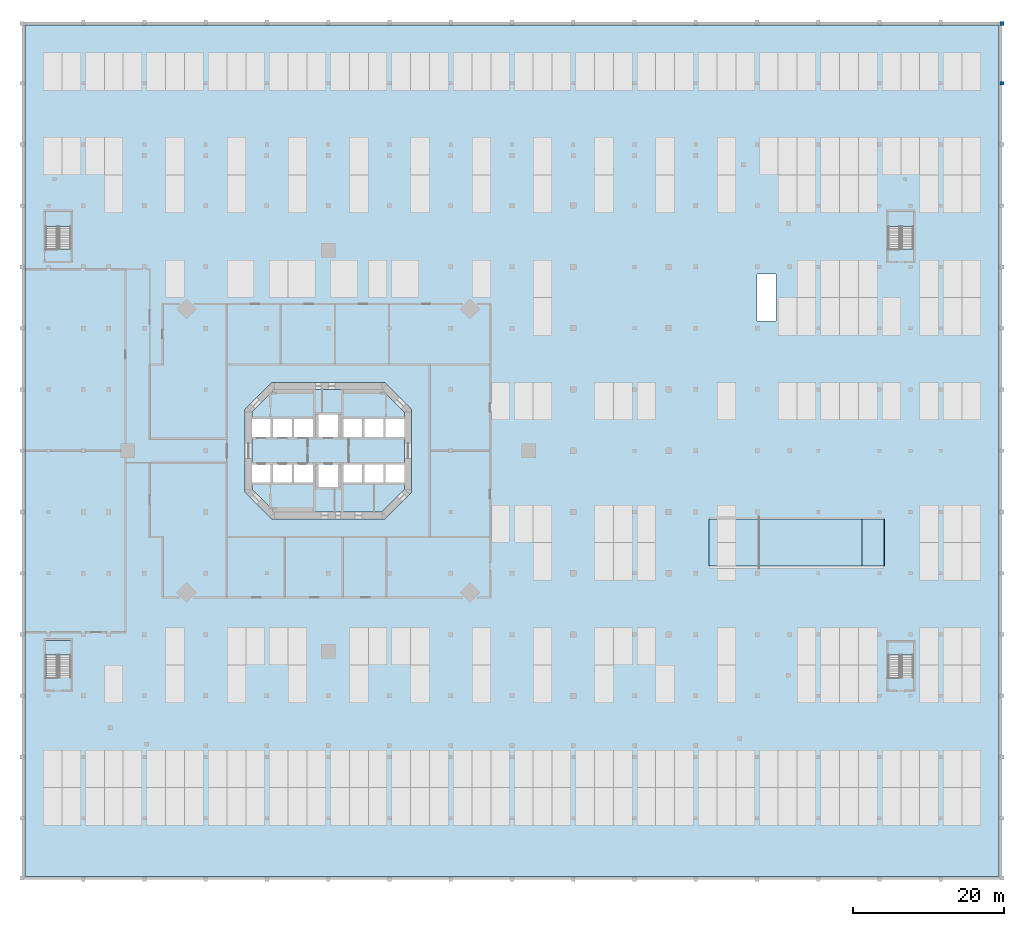
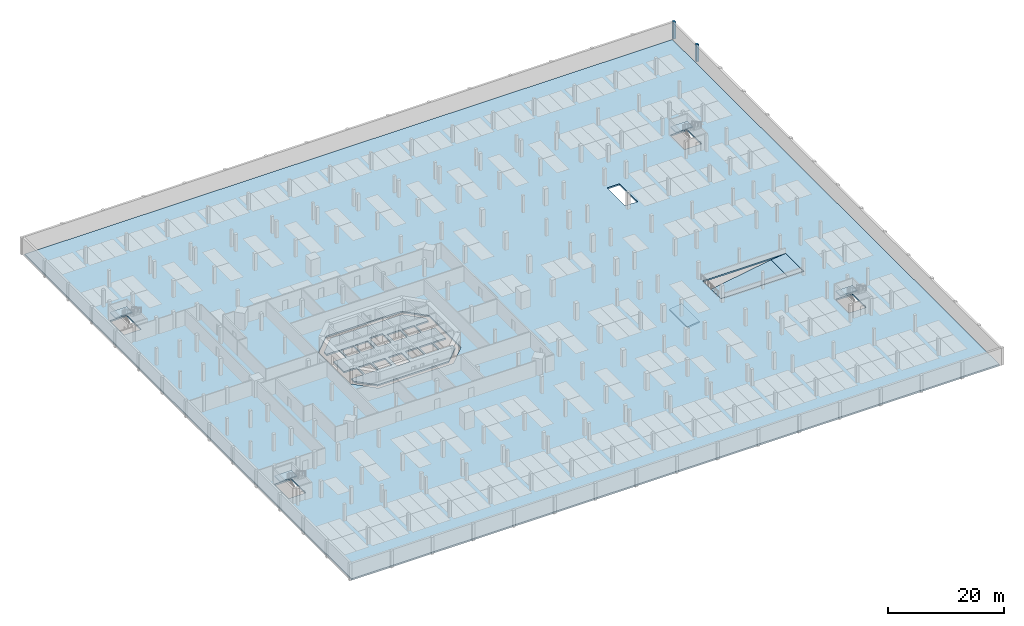
# One storey, part 2 of 14: 9 slabs, 2 columns, 4 elements without a shape of their own.
"""IFC4 building model written with IfcOpenShell, lengths in metres."""

from ifc_helpers import new_model, si_unit, direction, frame, origin, origin_2d, place, context, subcontext, project, spatial, polyline, rectangle, outline, extrude, material, layer, layer_set, material_profile, profile_set, type_object, element, aggregate, save


model = new_model("IFC4")

# Units and contexts
model_context = context("Model", 3, precision=1e-05, world=origin(), true_north=direction((0.0, 1.0)))
body_context = subcontext(model_context, "Body", "Model", "MODEL_VIEW")
ifc_project = project(units=[si_unit("LENGTHUNIT", "METRE"), si_unit("AREAUNIT", "SQUARE_METRE"), si_unit("VOLUMEUNIT", "CUBIC_METRE"), si_unit("PLANEANGLEUNIT", "RADIAN"), si_unit("MASSUNIT", "GRAM", prefix="KILO")], contexts=[model_context])

# Site, building, storey
site_placement = place(None, origin())
site = spatial("IfcSite", under=ifc_project, at=site_placement, CompositionType="ELEMENT")
building_placement = place(site_placement, origin())
building = spatial("IfcBuilding", under=site, at=building_placement, Name="Torre Triforio", CompositionType="ELEMENT")
storey_placement = place(building_placement, frame((0.0, 0.0, -7.199951171875)))
storey = spatial("IfcBuildingStorey", under=building, at=storey_placement, Name="B2", CompositionType="ELEMENT", Elevation=-7.199951171875)

# Columns
ifc_material_1 = material(Name="Concrete C50", Category="concrete")
ifc_material_profile = material_profile(ifc_material_1, rectangle(XDim=0.5, YDim=0.5, at=origin_2d()), Name="RC 500x500")
ifc_profile_set = profile_set([ifc_material_profile], Name="Concrete C50")
column_type = type_object("IfcColumnType", Name="Column RC 500x500 C50", PredefinedType="COLUMN", material=ifc_profile_set)
for number, where, z_axis, x_axis, name in (
    (1, (89.10009765625, 48.60009765625, 0.0), (0.0, 0.0, 1.0), (1.0, 0.0, 0.0), "COL.G.B2.17-N"),
    (2, (89.10009765625, 56.5, 0.0), (0.0, 0.0, 1.0), (1.0, 0.0, 0.0), "COL.G.B2.17-O"),
):
    element("IfcColumn", number, at=place(storey_placement, frame(where, z_axis=z_axis, x_axis=x_axis)), inside=storey, type_object=column_type, Name=name, PredefinedType="COLUMN", context=body_context, shape_type="SweptSolid", body=[
        extrude(rectangle(XDim=0.5, YDim=0.5, at=origin_2d()), origin(), (0.0, 0.0, 1.0), 3.599853515625),
    ])

# Slab
ifc_material_2 = material(Name="Concrete C60", Category="concrete")
ifc_layer_1 = layer(ifc_material_2, 0.320068359375)
ifc_layer_set_1 = layer_set([ifc_layer_1], Name="Concrete C60")
slab_type_1 = type_object("IfcSlabType", Name="Core floor slab 320 mm C60 REI 120", PredefinedType="FLOOR", material=ifc_layer_set_1)
slab_1_placement = place(storey_placement, frame((0.0, 0.0, -0.320068359375)))
element("IfcSlab", 3, at=slab_1_placement, inside=storey, type_object=slab_type_1, Name="Core floor slab", PredefinedType="FLOOR", context=body_context, shape_type="SweptSolid", body=[
    extrude(outline(polyline([(10.10009765625, -5.10009765625), (7.10009765625, -8.10009765625), (-7.10009765625, -8.10009765625), (-10.10009765625, -5.10009765625), (-10.10009765625, -4.199951171875), (-7.60009765625, -4.199951171875), (-7.60009765625, -1.800048828125), (-10.10009765625, -1.800048828125), (-10.10009765625, 1.800048828125), (-7.60009765625, 1.800048828125), (-7.60009765625, 4.199951171875), (-10.10009765625, 4.199951171875), (-10.10009765625, 5.10009765625), (-7.10009765625, 8.10009765625), (7.10009765625, 8.10009765625), (10.10009765625, 5.10009765625), (10.10009765625, 4.199951171875), (7.60009765625, 4.199951171875), (7.60009765625, 1.800048828125), (10.10009765625, 1.800048828125), (10.10009765625, -1.800048828125), (7.60009765625, -1.800048828125), (7.60009765625, -4.199951171875), (10.10009765625, -4.199951171875), (10.10009765625, -5.10009765625)]), holes=[polyline([(-4.800048828125, -1.800048828125), (-7.300048828125, -1.800048828125), (-7.300048828125, -4.199951171875), (-4.800048828125, -4.199951171875), (-4.800048828125, -1.800048828125)]), polyline([(-2.0, -1.800048828125), (-4.5, -1.800048828125), (-4.5, -4.199951171875), (-2.0, -4.199951171875), (-2.0, -1.800048828125)]), polyline([(-4.800048828125, 4.199951171875), (-7.300048828125, 4.199951171875), (-7.300048828125, 1.800048828125), (-4.800048828125, 1.800048828125), (-4.800048828125, 4.199951171875)]), polyline([(-2.0, 4.199951171875), (-4.5, 4.199951171875), (-4.5, 1.800048828125), (-2.0, 1.800048828125), (-2.0, 4.199951171875)]), polyline([(1.300048828125, 4.800048828125), (-1.300048828125, 4.800048828125), (-1.300048828125, 1.800048828125), (1.300048828125, 1.800048828125), (1.300048828125, 4.800048828125)]), polyline([(-1.300048828125, -1.800048828125), (-1.300048828125, -4.800048828125), (1.300048828125, -4.800048828125), (1.300048828125, -1.800048828125), (-1.300048828125, -1.800048828125)]), polyline([(4.5, -1.800048828125), (2.0, -1.800048828125), (2.0, -4.199951171875), (4.5, -4.199951171875), (4.5, -1.800048828125)]), polyline([(7.300048828125, -1.800048828125), (4.800048828125, -1.800048828125), (4.800048828125, -4.199951171875), (7.300048828125, -4.199951171875), (7.300048828125, -1.800048828125)]), polyline([(4.5, 4.199951171875), (2.0, 4.199951171875), (2.0, 1.800048828125), (4.5, 1.800048828125), (4.5, 4.199951171875)]), polyline([(7.300048828125, 4.199951171875), (4.800048828125, 4.199951171875), (4.800048828125, 1.800048828125), (7.300048828125, 1.800048828125), (7.300048828125, 4.199951171875)])]), origin(), (0.0, 0.0, 1.0), 0.320068359375),
])

# Stair, slab
ifc_material_3 = material(Name="Concrete C40", Category="concrete")
stair_type = type_object("IfcStairType", Name="Egress stair 1400 clear", PredefinedType="NOTDEFINED", material=ifc_material_3)
stair_1_placement = place(storey_placement, origin())
stair_1 = element("IfcStair", 4, at=stair_1_placement, inside=storey, type_object=stair_type, Name="Exit stair BS1 B2 to B1", PredefinedType="NOTDEFINED")
ifc_layer_2 = layer(ifc_material_3, 0.199951171875)
ifc_layer_set_2 = layer_set([ifc_layer_2], Name="Concrete C40")
slab_type_2 = type_object("IfcSlabType", Name="Egress stair landing 200", PredefinedType="LANDING", material=ifc_layer_set_2)
slab_2_placement = place(storey_placement, frame((0.0, 0.0, 1.599853515625)))
slab_2 = element("IfcSlab", 5, at=slab_2_placement, type_object=slab_type_2, Name="BS1 landing 1", PredefinedType="LANDING", context=body_context, shape_type="SweptSolid", body=[
    extrude(outline(polyline([(-37.375, -27.02490234375), (-34.02490234375, -27.02490234375), (-34.02490234375, -25.074951171875), (-37.375, -25.074951171875), (-37.375, -27.02490234375)])), origin(), (0.0, 0.0, 1.0), 0.2001953125),
])
aggregate(stair_1, [slab_2])

stair_2_placement = place(storey_placement, origin())
stair_2 = element("IfcStair", 6, at=stair_2_placement, inside=storey, type_object=stair_type, Name="Exit stair BS2 B2 to B1", PredefinedType="NOTDEFINED")
slab_3_placement = place(storey_placement, frame((0.0, 0.0, 1.599853515625)))
slab_3 = element("IfcSlab", 7, at=slab_3_placement, type_object=slab_type_2, Name="BS2 landing 1", PredefinedType="LANDING", context=body_context, shape_type="SweptSolid", body=[
    extrude(outline(polyline([(-37.375, 29.675048828125), (-34.02490234375, 29.675048828125), (-34.02490234375, 31.625), (-37.375, 31.625), (-37.375, 29.675048828125)])), origin(), (0.0, 0.0, 1.0), 0.2001953125),
])
aggregate(stair_2, [slab_3])

stair_3_placement = place(storey_placement, origin())
stair_3 = element("IfcStair", 8, at=stair_3_placement, inside=storey, type_object=stair_type, Name="Exit stair BS3 B2 to B1", PredefinedType="NOTDEFINED")
slab_4_placement = place(storey_placement, frame((0.0, 0.0, 1.599853515625)))
slab_4 = element("IfcSlab", 9, at=slab_4_placement, type_object=slab_type_2, Name="BS3 landing 1", PredefinedType="LANDING", context=body_context, shape_type="SweptSolid", body=[
    extrude(outline(polyline([(74.02490234375, -27.02490234375), (77.375, -27.02490234375), (77.375, -25.31494140625), (74.02490234375, -25.31494140625), (74.02490234375, -27.02490234375)])), origin(), (0.0, 0.0, 1.0), 0.2001953125),
])
aggregate(stair_3, [slab_4])

stair_4_placement = place(storey_placement, origin())
stair_4 = element("IfcStair", 10, at=stair_4_placement, inside=storey, type_object=stair_type, Name="Exit stair BS4 B2 to B1", PredefinedType="NOTDEFINED")
slab_5_placement = place(storey_placement, frame((0.0, 0.0, 1.599853515625)))
slab_5 = element("IfcSlab", 11, at=slab_5_placement, type_object=slab_type_2, Name="BS4 landing 1", PredefinedType="LANDING", context=body_context, shape_type="SweptSolid", body=[
    extrude(outline(polyline([(74.02490234375, 29.675048828125), (77.375, 29.675048828125), (77.375, 31.625), (74.02490234375, 31.625), (74.02490234375, 29.675048828125)])), origin(), (0.0, 0.0, 1.0), 0.2001953125),
])
aggregate(stair_4, [slab_5])

# Slabs
ifc_layer_3 = layer(ifc_material_1, 0.320068359375)
ifc_layer_set_3 = layer_set([ifc_layer_3], Name="Concrete C50")
slab_type_3 = type_object("IfcSlabType", Name="Floor slab 320 C50", PredefinedType="FLOOR", material=ifc_layer_set_3)
slab_6_placement = place(storey_placement, frame((0.0, 0.0, -0.320068359375)))
element("IfcSlab", 12, at=slab_6_placement, inside=storey, type_object=slab_type_3, Name="SL.B2", PredefinedType="FLOOR", context=body_context, shape_type="SweptSolid", body=[
    extrude(outline(polyline([(88.699951171875, 56.300048828125), (-40.10009765625, 56.300048828125), (-40.10009765625, -56.300048828125), (88.699951171875, -56.300048828125), (88.699951171875, 56.300048828125)]), holes=[polyline([(7.472900390625, 9.0), (11.0, 5.472900390625), (11.0, -5.472900390625), (7.472900390625, -9.0), (-7.472900390625, -9.0), (-11.0, -5.472900390625), (-11.0, 5.472900390625), (-7.472900390625, 9.0), (7.472900390625, 9.0)]), polyline([(74.02490234375, -25.31494140625), (77.375, -25.31494140625), (77.375, -29.9951171875), (74.02490234375, -29.9951171875), (74.02490234375, -25.31494140625)]), polyline([(-34.02490234375, -25.074951171875), (-34.02490234375, -29.9951171875), (-37.375, -29.9951171875), (-37.375, -25.074951171875), (-34.02490234375, -25.074951171875)]), polyline([(73.5, -9.050048828125), (73.5, -15.25), (57.0, -15.25), (57.0, -9.050048828125), (73.5, -9.050048828125)]), polyline([(56.679931640625, 23.35009765625), (59.179931640625, 23.35009765625), (59.179931640625, 17.14990234375), (56.679931640625, 17.14990234375), (56.679931640625, 23.35009765625)]), polyline([(-34.02490234375, 31.625), (-34.02490234375, 26.705078125), (-37.375, 26.705078125), (-37.375, 31.625), (-34.02490234375, 31.625)]), polyline([(77.375, 31.625), (77.375, 26.705078125), (74.02490234375, 26.705078125), (74.02490234375, 31.625), (77.375, 31.625)])]), origin(), (0.0, 0.0, 1.0), 0.320068359375),
])
ifc_layer_4 = layer(ifc_material_3, 0.300048828125)
ifc_layer_set_4 = layer_set([ifc_layer_4], Name="Concrete C40")
slab_type_4 = type_object("IfcSlabType", Name="Vehicle ramp slab 300", PredefinedType="USERDEFINED", material=ifc_layer_set_4)
slab_7_placement = place(storey_placement, frame((73.5, -15.25, 0.0), z_axis=(-0.108962716765, 0.0, 0.99404583715), x_axis=(-0.99404583715, 0.0, -0.108962716765)))
element("IfcSlab", 13, at=slab_7_placement, inside=storey, type_object=slab_type_4, Name="Car ramp B2 to B3 top transition", ObjectType="VEHICLE_RAMP", PredefinedType="USERDEFINED", context=body_context, shape_type="SweptSolid", body=[
    extrude(outline(polyline([(0.0, 0.0), (2.93741170263491, 0.0), (2.93741170263491, -6.199951171875), (0.0, -6.199951171875), (0.0, 0.0)])), origin(), (0.0, 0.0, -1.0), 0.300048828125),
])
slab_8_placement = place(storey_placement, frame((70.580078125, -15.25, -0.320068359375), z_axis=(-0.164396788448, 0.0, 0.986394290306), x_axis=(-0.986394290306, 0.0, -0.164396788448)))
element("IfcSlab", 14, at=slab_8_placement, inside=storey, type_object=slab_type_4, Name="Car ramp B2 to B3 main flight", ObjectType="VEHICLE_RAMP", PredefinedType="USERDEFINED", context=body_context, shape_type="SweptSolid", body=[
    extrude(outline(polyline([(0.0, 0.0), (18.004980300645187, 0.0), (18.004980300645187, -6.199951171874999), (0.0, -6.199951171874999), (0.0, 0.0)])), origin(), (0.0, 0.0, -1.0), 0.300048828125),
])
slab_9_placement = place(storey_placement, frame((52.820068359375, -15.25, -3.280029296875), z_axis=(-0.126609578493, 0.0, 0.991952627213), x_axis=(-0.991952627213, 0.0, -0.126609578493)))
element("IfcSlab", 15, at=slab_9_placement, inside=storey, type_object=slab_type_4, Name="Car ramp B2 to B3 bottom transition", ObjectType="VEHICLE_RAMP", PredefinedType="USERDEFINED", context=body_context, shape_type="SweptSolid", body=[
    extrude(outline(polyline([(0.0, 0.0), (2.5202816459342228, 0.0), (2.5202816459342228, -6.199951171875), (0.0, -6.199951171875), (0.0, 0.0)])), origin(), (0.0, 0.0, -1.0), 0.300048828125),
])

save(model, "model.ifc")
